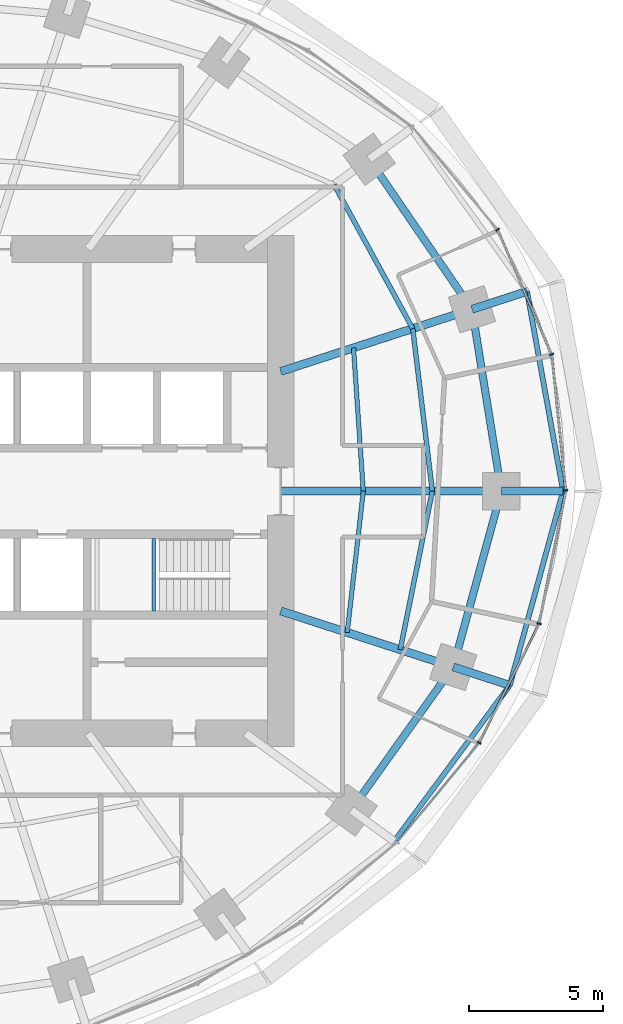
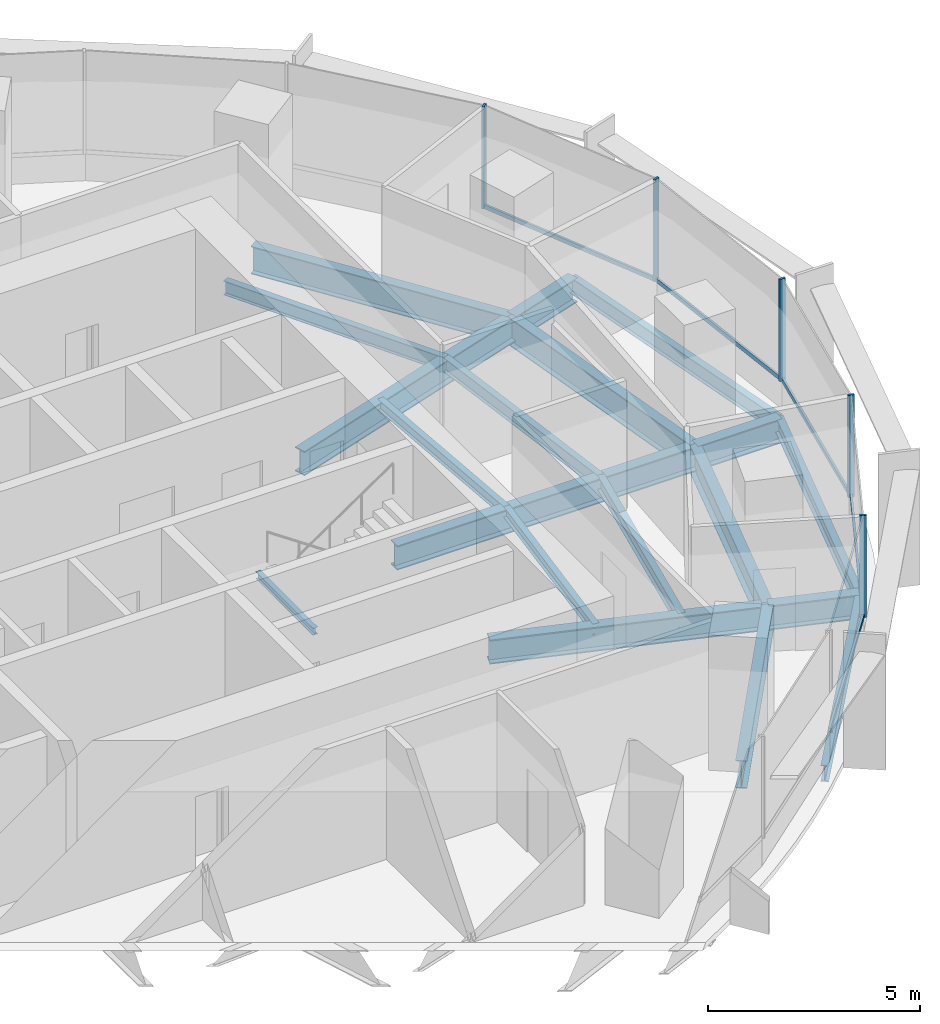
# One storey, part 6 of 15: 19 beams, 10 members, 2 elements without a shape of their own.
"""IFC4 building model written with IfcOpenShell, lengths in metres."""

from ifc_helpers import new_model, si_unit, direction, frame, origin, origin_2d, place, context, subcontext, project, spatial, rectangle, i_section, extrude, material, material_profile, profile_set, type_object, element, aggregate, save


model = new_model("IFC4")

# Units and contexts
model_context = context("Model", 3, precision=1e-05, world=origin(), true_north=direction((0.0, 1.0)))
body_context = subcontext(model_context, "Body", "Model", "MODEL_VIEW")
ifc_project = project(units=[si_unit("LENGTHUNIT", "METRE"), si_unit("AREAUNIT", "SQUARE_METRE"), si_unit("VOLUMEUNIT", "CUBIC_METRE"), si_unit("PLANEANGLEUNIT", "RADIAN"), si_unit("MASSUNIT", "GRAM", prefix="KILO")], contexts=[model_context])

# Site, building, storey
site_placement = place(None, origin())
site = spatial("IfcSite", under=ifc_project, at=site_placement, CompositionType="ELEMENT")
building_placement = place(site_placement, origin())
building = spatial("IfcBuilding", under=site, at=building_placement, Name="Marramba Exchange Tower", CompositionType="ELEMENT")
storey_placement = place(building_placement, frame((0.0, 0.0, 211.10009765625)))
storey = spatial("IfcBuildingStorey", under=building, at=storey_placement, Name="L51", CompositionType="ELEMENT", Elevation=211.10009765625)

# Beams
ifc_material_1 = material(Name="Steel AS/NZS 3679.2 grade 300", Category="steel")
ifc_material_profile_1 = material_profile(ifc_material_1, i_section(OverallWidth=0.300048828125, OverallDepth=0.699951171875, WebThickness=0.010009765625, FlangeThickness=0.031982421875, at=origin_2d()), Name="700WB173")
ifc_profile_set_1 = profile_set([ifc_material_profile_1], Name="Steel AS/NZS 3679.2 grade 300")
beam_type_1 = type_object("IfcBeamType", Name="Cantilever girder 700WB173", PredefinedType="BEAM", material=ifc_profile_set_1)
beam_1_placement = place(storey_placement, frame((21.89990234375, 0.0, -0.510009765625), z_axis=(1.0, 0.0, 0.0), x_axis=(0.0, 1.0, 0.0)))
element("IfcBeam", 1, at=beam_1_placement, inside=storey, type_object=beam_type_1, Name="Cantilever girder L51 TC01", PredefinedType="BEAM", context=body_context, shape_type="SweptSolid", body=[
    extrude(i_section(OverallWidth=0.300048828125, OverallDepth=0.699951171875, WebThickness=0.010009765625, FlangeThickness=0.031982421875, at=origin_2d()), origin(), (0.0, 0.0, 1.0), 2.294189453125),
])
beam_2_placement = place(storey_placement, frame((20.808349609375, 6.760986328125, -0.510009765625), z_axis=(0.951051587859, 0.309032162129, 0.0), x_axis=(-0.309032162129, 0.951051587859, 0.0)))
element("IfcBeam", 2, at=beam_2_placement, inside=storey, type_object=beam_type_1, Name="Cantilever girder L51 TC02", PredefinedType="BEAM", context=body_context, shape_type="SweptSolid", body=[
    extrude(i_section(OverallWidth=0.300048828125, OverallDepth=0.699951171875, WebThickness=0.010009765625, FlangeThickness=0.031982421875, at=origin_2d()), origin(), (0.0, 0.0, 1.0), 2.150390625),
])
beam_3_placement = place(storey_placement, frame((20.109375, -6.533935546875, -0.510009765625), z_axis=(0.951050283347, -0.309036176758, 0.0), x_axis=(0.309036176758, 0.951050283347, 0.0)))
element("IfcBeam", 3, at=beam_3_placement, inside=storey, type_object=beam_type_1, Name="Cantilever girder L51 TC20", PredefinedType="BEAM", context=body_context, shape_type="SweptSolid", body=[
    extrude(i_section(OverallWidth=0.300048828125, OverallDepth=0.699951171875, WebThickness=0.010009765625, FlangeThickness=0.031982421875, at=origin_2d()), origin(), (0.0, 0.0, 1.0), 2.212890625),
])
ifc_material_2 = material(Name="Steel AS/NZS 3679.1 grade 300", Category="steel")
ifc_material_profile_2 = material_profile(ifc_material_2, i_section(OverallWidth=0.166015625, OverallDepth=0.306884765625, WebThickness=0.006591796875, FlangeThickness=0.01171875, FilletRadius=0.011474609375, at=origin_2d()), Name="310UB46.2")
ifc_profile_set_2 = profile_set([ifc_material_profile_2], Name="Steel AS/NZS 3679.1 grade 300")
beam_type_2 = type_object("IfcBeamType", Name="Floor joist 310UB46.2", PredefinedType="JOIST", material=ifc_profile_set_2)
beam_4_placement = place(storey_placement, frame((16.7666015625, 0.0, -0.3134765625), z_axis=(-0.068096259546, 0.99767875563, 0.0), x_axis=(-0.99767875563, -0.068096259546, 0.0)))
element("IfcBeam", 4, at=beam_4_placement, inside=storey, type_object=beam_type_2, Name="Joist L51 bay 01 row 1", PredefinedType="JOIST", context=body_context, shape_type="SweptSolid", body=[
    extrude(i_section(OverallWidth=0.166015625, OverallDepth=0.306884765625, WebThickness=0.006591796875, FlangeThickness=0.01171875, FilletRadius=0.011474609375, at=origin_2d()), origin(), (0.0, 0.0, 1.0), 5.342041015625),
])
beam_5_placement = place(storey_placement, frame((16.169677734375, -5.25390625, -0.3134765625), z_axis=(0.112888968594, 0.993607609054, 0.0), x_axis=(-0.993607609054, 0.112888968594, 0.0)))
element("IfcBeam", 5, at=beam_5_placement, inside=storey, type_object=beam_type_2, Name="Joist L51 bay 20 row 1", PredefinedType="JOIST", context=body_context, shape_type="SweptSolid", body=[
    extrude(i_section(OverallWidth=0.166015625, OverallDepth=0.306884765625, WebThickness=0.006591796875, FlangeThickness=0.01171875, FilletRadius=0.011474609375, at=origin_2d()), origin(), (0.0, 0.0, 1.0), 5.28759765625),
])
ifc_material_profile_3 = material_profile(ifc_material_2, i_section(OverallWidth=0.177978515625, OverallDepth=0.406005859375, WebThickness=0.0078125, FlangeThickness=0.0126953125, FilletRadius=0.011474609375, at=origin_2d()), Name="410UB59.7")
ifc_profile_set_3 = profile_set([ifc_material_profile_3], Name="Steel AS/NZS 3679.1 grade 300")
beam_type_3 = type_object("IfcBeamType", Name="Floor joist 410UB59.7", PredefinedType="JOIST", material=ifc_profile_set_3)
beam_6_placement = place(storey_placement, frame((19.333251953125, 0.0, -0.363037109375), z_axis=(-0.119523078538, 0.992831422597, 0.0), x_axis=(-0.992831422597, -0.119523078538, 0.0)))
element("IfcBeam", 6, at=beam_6_placement, inside=storey, type_object=beam_type_3, Name="Joist L51 bay 01 row 2", PredefinedType="JOIST", context=body_context, shape_type="SweptSolid", body=[
    extrude(i_section(OverallWidth=0.177978515625, OverallDepth=0.406005859375, WebThickness=0.0078125, FlangeThickness=0.0126953125, FilletRadius=0.011474609375, at=origin_2d()), origin(), (0.0, 0.0, 1.0), 6.089111328125),
])
beam_7_placement = place(storey_placement, frame((18.60546875, 6.04541015625, -0.363037109375), z_axis=(-0.479584443791, 0.877495732909, 0.0), x_axis=(-0.877495732909, -0.479584443791, 0.0)))
element("IfcBeam", 7, at=beam_7_placement, inside=storey, type_object=beam_type_3, Name="Joist L51 bay 02 row 2", PredefinedType="JOIST", context=body_context, shape_type="SweptSolid", body=[
    extrude(i_section(OverallWidth=0.177978515625, OverallDepth=0.406005859375, WebThickness=0.0078125, FlangeThickness=0.0126953125, FilletRadius=0.011474609375, at=origin_2d()), origin(), (0.0, 0.0, 1.0), 6.094970703125),
])
beam_8_placement = place(storey_placement, frame((18.1396484375, -5.893798828125, -0.363037109375), z_axis=(0.198489047047, 0.980103105904, 0.0), x_axis=(-0.980103105904, 0.198489047047, 0.0)))
element("IfcBeam", 8, at=beam_8_placement, inside=storey, type_object=beam_type_3, Name="Joist L51 bay 20 row 2", PredefinedType="JOIST", context=body_context, shape_type="SweptSolid", body=[
    extrude(i_section(OverallWidth=0.177978515625, OverallDepth=0.406005859375, WebThickness=0.0078125, FlangeThickness=0.0126953125, FilletRadius=0.011474609375, at=origin_2d()), origin(), (0.0, 0.0, 1.0), 6.013427734375),
])

# Curtain wall, members
ifc_material_3 = material(Name="Aluminium framing, bronze anodised", Category="aluminium")
curtain_wall_type = type_object("IfcCurtainWallType", Name="Office ribbon curtain wall", PredefinedType="USERDEFINED", material=ifc_material_3)
curtain_wall_1_placement = place(storey_placement, origin())
curtain_wall_1 = element("IfcCurtainWall", 9, at=curtain_wall_1_placement, inside=storey, type_object=curtain_wall_type, Name="Curtain wall CW4 L51 F01-F05", ObjectType="RIBBON CURTAIN WALL", PredefinedType="USERDEFINED")
ifc_material_4 = material(Name="Aluminium mullion, bronze anodised", Category="aluminium")
ifc_material_profile_4 = material_profile(ifc_material_4, rectangle(XDim=0.159912109375, YDim=0.06005859375, at=origin_2d()), Name="CW4 mullion 60x160")
ifc_profile_set_4 = profile_set([ifc_material_profile_4], Name="Aluminium mullion, bronze anodised")
member_type_1 = type_object("IfcMemberType", Name="Office ribbon curtain wall mullion", PredefinedType="MULLION", material=ifc_profile_set_4)
member_1_placement = place(storey_placement, frame((24.291015625, 0.02978515625, 0.7998046875), z_axis=(0.0, 0.0, 1.0), x_axis=(-0.994843446001, -0.101422472607, 0.0)))
member_1 = element("IfcMember", 10, at=member_1_placement, type_object=member_type_1, Name="CW4 mullion 1", PredefinedType="MULLION", context=body_context, shape_type="SweptSolid", body=[
    extrude(rectangle(XDim=0.159912109375, YDim=0.06005859375, at=origin_2d()), origin(), (0.0, 0.0, 1.0), 2.940185546875),
])
member_2_placement = place(storey_placement, frame((23.766845703125, 5.081787109375, 0.7998046875), z_axis=(0.0, 0.0, 1.0), x_axis=(-0.918167104527, -0.396193346946, 0.0)))
member_2 = element("IfcMember", 11, at=member_2_placement, type_object=member_type_1, Name="CW4 mullion 1", PredefinedType="MULLION", context=body_context, shape_type="SweptSolid", body=[
    extrude(rectangle(XDim=0.159912109375, YDim=0.06005859375, at=origin_2d()), origin(), (0.0, 0.0, 1.0), 2.940185546875),
])
member_3_placement = place(storey_placement, frame((21.757080078125, 9.718505859375, 0.7998046875), z_axis=(0.0, 0.0, 1.0), x_axis=(-0.770574258342, -0.637350227411, 0.0)))
member_3 = element("IfcMember", 12, at=member_3_placement, type_object=member_type_1, Name="CW4 mullion 1", PredefinedType="MULLION", context=body_context, shape_type="SweptSolid", body=[
    extrude(rectangle(XDim=0.159912109375, YDim=0.06005859375, at=origin_2d()), origin(), (0.0, 0.0, 1.0), 2.940185546875),
])

curtain_wall_2_placement = place(storey_placement, origin())
curtain_wall_2 = element("IfcCurtainWall", 13, at=curtain_wall_2_placement, inside=storey, type_object=curtain_wall_type, Name="Curtain wall CW4 L51 F26-F30", ObjectType="RIBBON CURTAIN WALL", PredefinedType="USERDEFINED")
member_4_placement = place(storey_placement, frame((21.07568359375, -9.3505859375, 0.7998046875), z_axis=(0.0, 0.0, 1.0), x_axis=(-0.892689067591, 0.450673083956, 0.0)))
member_4 = element("IfcMember", 14, at=member_4_placement, type_object=member_type_1, Name="CW4 mullion 1", PredefinedType="MULLION", context=body_context, shape_type="SweptSolid", body=[
    extrude(rectangle(XDim=0.159912109375, YDim=0.06005859375, at=origin_2d()), origin(), (0.0, 0.0, 1.0), 2.940185546875),
])
member_5_placement = place(storey_placement, frame((23.30224609375, -4.92236328125, 0.7998046875), z_axis=(0.0, 0.0, 1.0), x_axis=(-0.980303812539, 0.197495405316, 0.0)))
member_5 = element("IfcMember", 15, at=member_5_placement, type_object=member_type_1, Name="CW4 mullion 1", PredefinedType="MULLION", context=body_context, shape_type="SweptSolid", body=[
    extrude(rectangle(XDim=0.159912109375, YDim=0.06005859375, at=origin_2d()), origin(), (0.0, 0.0, 1.0), 2.940185546875),
])

# Member
ifc_material_5 = material(Name="Aluminium transom, bronze anodised", Category="aluminium")
ifc_material_profile_5 = material_profile(ifc_material_5, rectangle(XDim=0.06005859375, YDim=0.1201171875, at=origin_2d()), Name="CW4 transom 60x120")
ifc_profile_set_5 = profile_set([ifc_material_profile_5], Name="Aluminium transom, bronze anodised")
member_type_2 = type_object("IfcMemberType", Name="Office ribbon curtain wall transom", PredefinedType="USERDEFINED", material=ifc_profile_set_5)
member_6_placement = place(storey_placement, frame((24.287841796875, 0.0595703125, 0.829833984375), z_axis=(-0.101386007846, 0.994847162841, 0.0), x_axis=(-0.994847162841, -0.101386007846, 0.0)))
member_6 = element("IfcMember", 16, at=member_6_placement, type_object=member_type_2, Name="CW4 sill transom", ObjectType="TRANSOM", PredefinedType="USERDEFINED", context=body_context, shape_type="SweptSolid", body=[
    extrude(rectangle(XDim=0.06005859375, YDim=0.1201171875, at=origin_2d()), origin(), (0.0, 0.0, 1.0), 5.020751953125),
])

member_7_placement = place(storey_placement, frame((23.7548828125, 5.109375, 0.829833984375), z_axis=(-0.396177573744, 0.918173910576, 0.0), x_axis=(-0.918173910576, -0.396177573744, 0.0)))
member_7 = element("IfcMember", 17, at=member_7_placement, type_object=member_type_2, Name="CW4 sill transom", ObjectType="TRANSOM", PredefinedType="USERDEFINED", context=body_context, shape_type="SweptSolid", body=[
    extrude(rectangle(XDim=0.06005859375, YDim=0.1201171875, at=origin_2d()), origin(), (0.0, 0.0, 1.0), 4.99462890625),
])

aggregate(curtain_wall_1, [member_1, member_6, member_2, member_7, member_3])

member_8_placement = place(storey_placement, frame((18.03515625, -13.029296875, 0.829833984375), z_axis=(0.638146908901, 0.76991462037, 0.0), x_axis=(-0.76991462037, 0.638146908901, 0.0)))
member_8 = element("IfcMember", 18, at=member_8_placement, type_object=member_type_2, Name="CW4 sill transom", ObjectType="TRANSOM", PredefinedType="USERDEFINED", context=body_context, shape_type="SweptSolid", body=[
    extrude(rectangle(XDim=0.06005859375, YDim=0.1201171875, at=origin_2d()), origin(), (0.0, 0.0, 1.0), 4.7431640625),
])

member_9_placement = place(storey_placement, frame((21.089111328125, -9.323974609375, 0.829833984375), z_axis=(0.450679681949, 0.892685736572, 0.0), x_axis=(-0.892685736572, 0.450679681949, 0.0)))
member_9 = element("IfcMember", 19, at=member_9_placement, type_object=member_type_2, Name="CW4 sill transom", ObjectType="TRANSOM", PredefinedType="USERDEFINED", context=body_context, shape_type="SweptSolid", body=[
    extrude(rectangle(XDim=0.06005859375, YDim=0.1201171875, at=origin_2d()), origin(), (0.0, 0.0, 1.0), 4.897705078125),
])

member_10_placement = place(storey_placement, frame((23.308349609375, -4.89306640625, 0.829833984375), z_axis=(0.197461053167, 0.980310732616, 0.0), x_axis=(-0.980310732616, 0.197461053167, 0.0)))
member_10 = element("IfcMember", 20, at=member_10_placement, type_object=member_type_2, Name="CW4 sill transom", ObjectType="TRANSOM", PredefinedType="USERDEFINED", context=body_context, shape_type="SweptSolid", body=[
    extrude(rectangle(XDim=0.06005859375, YDim=0.1201171875, at=origin_2d()), origin(), (0.0, 0.0, 1.0), 4.991455078125),
])

aggregate(curtain_wall_2, [member_8, member_4, member_9, member_5, member_10])

# Beams
ifc_material_profile_6 = material_profile(ifc_material_1, i_section(OverallWidth=0.300048828125, OverallDepth=0.699951171875, WebThickness=0.010009765625, FlangeThickness=0.031982421875, at=origin_2d()), Name="700WB173")
ifc_profile_set_6 = profile_set([ifc_material_profile_6], Name="Steel AS/NZS 3679.2 grade 300")
beam_type_4 = type_object("IfcBeamType", Name="Radial girder 700WB173", PredefinedType="BEAM", material=ifc_profile_set_6)
beam_9_placement = place(storey_placement, frame((13.699951171875, 0.0, -0.510009765625), z_axis=(1.0, 0.0, 0.0), x_axis=(0.0, 1.0, 0.0)))
element("IfcBeam", 21, at=beam_9_placement, inside=storey, type_object=beam_type_4, Name="Radial girder L51 TC01", PredefinedType="BEAM", context=body_context, shape_type="SweptSolid", body=[
    extrude(i_section(OverallWidth=0.300048828125, OverallDepth=0.699951171875, WebThickness=0.010009765625, FlangeThickness=0.031982421875, at=origin_2d()), origin(), (0.0, 0.0, 1.0), 8.199951171875),
])
beam_10_placement = place(storey_placement, frame((13.699951171875, 4.451416015625, -0.510009765625), z_axis=(0.951059990189, 0.309006302624, 0.0), x_axis=(-0.309006302624, 0.951059990189, 0.0)))
element("IfcBeam", 22, at=beam_10_placement, inside=storey, type_object=beam_type_4, Name="Radial girder L51 TC02", PredefinedType="BEAM", context=body_context, shape_type="SweptSolid", body=[
    extrude(i_section(OverallWidth=0.300048828125, OverallDepth=0.699951171875, WebThickness=0.010009765625, FlangeThickness=0.031982421875, at=origin_2d()), origin(), (0.0, 0.0, 1.0), 7.47412109375),
])
beam_11_placement = place(storey_placement, frame((13.699951171875, -4.451416015625, -0.510009765625), z_axis=(0.951057759669, -0.309013167637, 0.0), x_axis=(0.309013167637, 0.951057759669, 0.0)))
element("IfcBeam", 23, at=beam_11_placement, inside=storey, type_object=beam_type_4, Name="Radial girder L51 TC20", PredefinedType="BEAM", context=body_context, shape_type="SweptSolid", body=[
    extrude(i_section(OverallWidth=0.300048828125, OverallDepth=0.699951171875, WebThickness=0.010009765625, FlangeThickness=0.031982421875, at=origin_2d()), origin(), (0.0, 0.0, 1.0), 6.7392578125),
])
ifc_material_profile_7 = material_profile(ifc_material_1, i_section(OverallWidth=0.27490234375, OverallDepth=0.800048828125, WebThickness=0.010009765625, FlangeThickness=0.02490234375, at=origin_2d()), Name="800WB168")
ifc_profile_set_7 = profile_set([ifc_material_profile_7], Name="Steel AS/NZS 3679.2 grade 300")
beam_type_5 = type_object("IfcBeamType", Name="Ring beam 800WB168", PredefinedType="SPANDREL", material=ifc_profile_set_7)
beam_12_placement = place(storey_placement, frame((21.89990234375, 0.0, -0.56005859375), z_axis=(-0.159384865399, 0.987216523708, 0.0), x_axis=(-0.987216523708, -0.159384865399, 0.0)))
element("IfcBeam", 24, at=beam_12_placement, inside=storey, type_object=beam_type_5, Name="Ring beam L51 TC01-TC02", PredefinedType="SPANDREL", context=body_context, shape_type="SweptSolid", body=[
    extrude(i_section(OverallWidth=0.27490234375, OverallDepth=0.800048828125, WebThickness=0.010009765625, FlangeThickness=0.02490234375, at=origin_2d()), origin(), (0.0, 0.0, 1.0), 6.8486328125),
])
beam_13_placement = place(storey_placement, frame((20.808349609375, 6.760986328125, -0.56005859375), z_axis=(-0.56516002054, 0.824981303535, 0.0), x_axis=(-0.824981303535, -0.56516002054, 0.0)))
element("IfcBeam", 25, at=beam_13_placement, inside=storey, type_object=beam_type_5, Name="Ring beam L51 TC02-TC03", PredefinedType="SPANDREL", context=body_context, shape_type="SweptSolid", body=[
    extrude(i_section(OverallWidth=0.27490234375, OverallDepth=0.800048828125, WebThickness=0.010009765625, FlangeThickness=0.02490234375, at=origin_2d()), origin(), (0.0, 0.0, 1.0), 6.763671875),
])
beam_14_placement = place(storey_placement, frame((16.3154296875, -11.853759765625, -0.56005859375), z_axis=(0.580637181111, 0.814162430914, 0.0), x_axis=(-0.814162430914, 0.580637181111, 0.0)))
element("IfcBeam", 26, at=beam_14_placement, inside=storey, type_object=beam_type_5, Name="Ring beam L51 TC19-TC20", PredefinedType="SPANDREL", context=body_context, shape_type="SweptSolid", body=[
    extrude(i_section(OverallWidth=0.27490234375, OverallDepth=0.800048828125, WebThickness=0.010009765625, FlangeThickness=0.02490234375, at=origin_2d()), origin(), (0.0, 0.0, 1.0), 6.5341796875),
])
beam_15_placement = place(storey_placement, frame((20.109375, -6.533935546875, -0.56005859375), z_axis=(0.264291166956, 0.964442937176, 0.0), x_axis=(-0.964442937176, 0.264291166956, 0.0)))
element("IfcBeam", 27, at=beam_15_placement, inside=storey, type_object=beam_type_5, Name="Ring beam L51 TC20-TC01", PredefinedType="SPANDREL", context=body_context, shape_type="SweptSolid", body=[
    extrude(i_section(OverallWidth=0.27490234375, OverallDepth=0.800048828125, WebThickness=0.010009765625, FlangeThickness=0.02490234375, at=origin_2d()), origin(), (0.0, 0.0, 1.0), 6.77490234375),
])
ifc_material_profile_8 = material_profile(ifc_material_2, i_section(OverallWidth=0.19091796875, OverallDepth=0.4599609375, WebThickness=0.010009765625, FlangeThickness=0.01611328125, FilletRadius=0.011474609375, at=origin_2d()), Name="460UB82.1")
ifc_profile_set_8 = profile_set([ifc_material_profile_8], Name="Steel AS/NZS 3679.1 grade 300")
beam_type_6 = type_object("IfcBeamType", Name="Slab edge beam 460UB82.1", PredefinedType="SPANDREL", material=ifc_profile_set_8)
beam_16_placement = place(storey_placement, frame((24.194091796875, 0.0, -0.39013671875), z_axis=(-0.177663817107, 0.984091239719, 0.0), x_axis=(-0.984091239719, -0.177663817107, 0.0)))
element("IfcBeam", 28, at=beam_16_placement, inside=storey, type_object=beam_type_6, Name="Slab edge beam L51 TC01-TC02", PredefinedType="SPANDREL", context=body_context, shape_type="SweptSolid", body=[
    extrude(i_section(OverallWidth=0.19091796875, OverallDepth=0.4599609375, WebThickness=0.010009765625, FlangeThickness=0.01611328125, FilletRadius=0.011474609375, at=origin_2d()), origin(), (0.0, 0.0, 1.0), 7.545654296875),
])
beam_17_placement = place(storey_placement, frame((17.916015625, -13.016845703125, -0.39013671875), z_axis=(0.595428136035, 0.803408572781, 0.0), x_axis=(-0.803408572781, 0.595428136035, 0.0)))
element("IfcBeam", 29, at=beam_17_placement, inside=storey, type_object=beam_type_6, Name="Slab edge beam L51 TC19-TC20", PredefinedType="SPANDREL", context=body_context, shape_type="SweptSolid", body=[
    extrude(i_section(OverallWidth=0.19091796875, OverallDepth=0.4599609375, WebThickness=0.010009765625, FlangeThickness=0.01611328125, FilletRadius=0.011474609375, at=origin_2d()), origin(), (0.0, 0.0, 1.0), 7.218017578125),
])
beam_18_placement = place(storey_placement, frame((22.2138671875, -7.2177734375, -0.39013671875), z_axis=(0.264577205901, 0.964364506874, 0.0), x_axis=(-0.964364506874, 0.264577205901, 0.0)))
element("IfcBeam", 30, at=beam_18_placement, inside=storey, type_object=beam_type_6, Name="Slab edge beam L51 TC20-TC01", PredefinedType="SPANDREL", context=body_context, shape_type="SweptSolid", body=[
    extrude(i_section(OverallWidth=0.19091796875, OverallDepth=0.4599609375, WebThickness=0.010009765625, FlangeThickness=0.01611328125, FilletRadius=0.011474609375, at=origin_2d()), origin(), (0.0, 0.0, 1.0), 7.484375),
])
ifc_material_profile_9 = material_profile(ifc_material_2, i_section(OverallWidth=0.133056640625, OverallDepth=0.202880859375, WebThickness=0.005859375, FlangeThickness=0.0078125, FilletRadius=0.0087890625, at=origin_2d()), Name="200UB25.4")
ifc_profile_set_9 = profile_set([ifc_material_profile_9], Name="Steel AS/NZS 3679.1 grade 300")
beam_type_7 = type_object("IfcBeamType", Name="Stair landing beam 200UB25.4", PredefinedType="BEAM", material=ifc_profile_set_9)
beam_19_placement = place(storey_placement, frame((8.9833984375, -4.449951171875, 1.6484375), z_axis=(0.0, 1.0, 0.0), x_axis=(-1.0, 0.0, 0.0)))
element("IfcBeam", 31, at=beam_19_placement, inside=storey, type_object=beam_type_7, Name="Stair landing beam SLB1 ST2 L51 2", PredefinedType="BEAM", context=body_context, shape_type="SweptSolid", body=[
    extrude(i_section(OverallWidth=0.133056640625, OverallDepth=0.202880859375, WebThickness=0.005859375, FlangeThickness=0.0078125, FilletRadius=0.0087890625, at=origin_2d()), origin(), (0.0, 0.0, 1.0), 2.699951171875),
])

save(model, "model.ifc")
